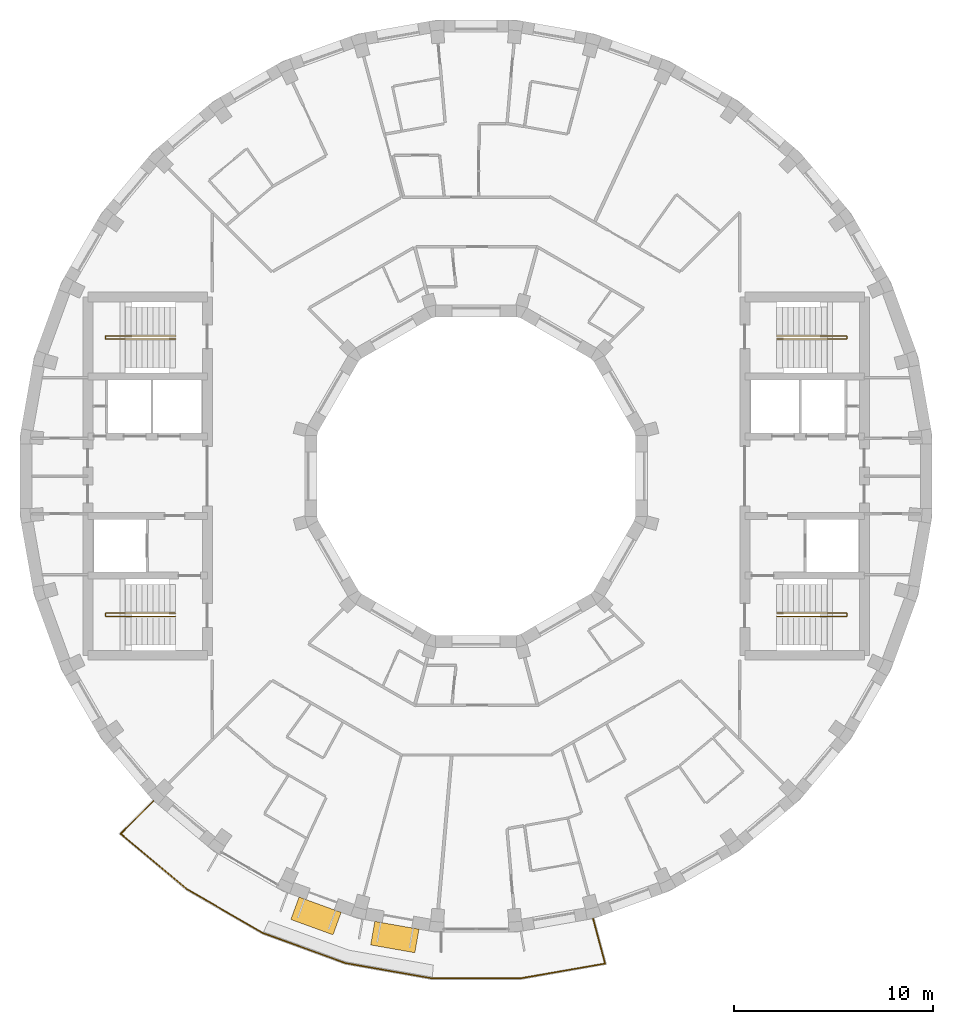
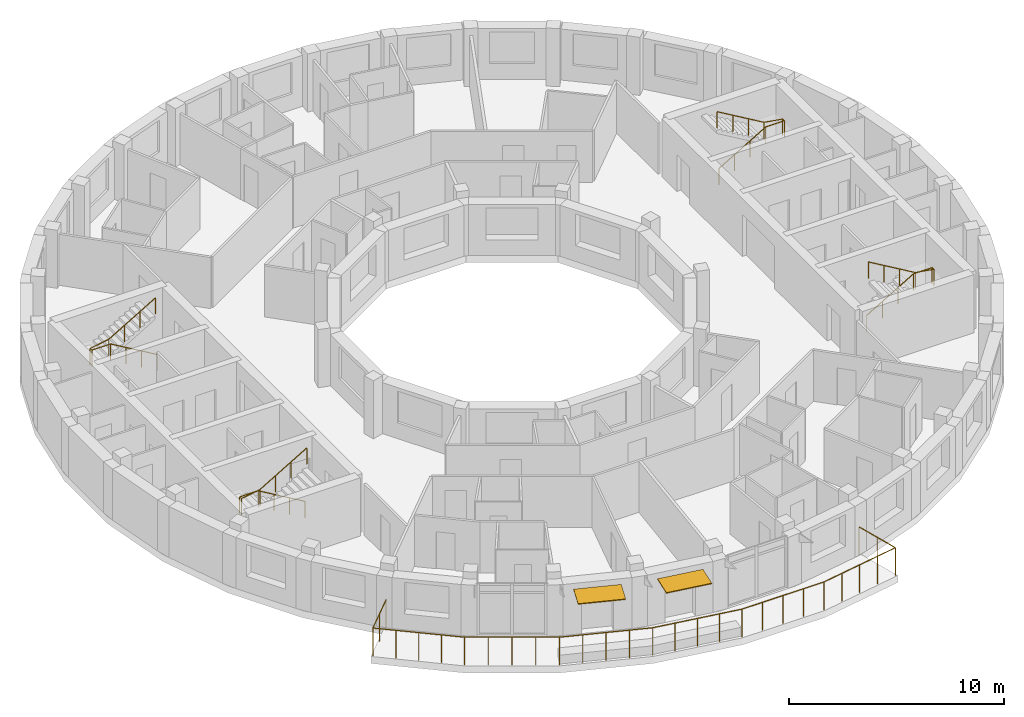
# One storey, part 12 of 12: 5 railings, 2 shading devices.
"""IFC4 building model written with IfcOpenShell, lengths in metres."""

from ifc_helpers import new_model, si_unit, direction, frame, origin, origin_2d, place, context, subcontext, project, spatial, rectangle, circle, extrude, material, layer, layer_set, type_object, element, save


model = new_model("IFC4")

# Units and contexts
model_context = context("Model", 3, precision=1e-05, world=origin(), true_north=direction((0.0, 1.0)))
body_context = subcontext(model_context, "Body", "Model", "MODEL_VIEW")
ifc_project = project(units=[si_unit("LENGTHUNIT", "METRE"), si_unit("AREAUNIT", "SQUARE_METRE"), si_unit("VOLUMEUNIT", "CUBIC_METRE"), si_unit("PLANEANGLEUNIT", "RADIAN"), si_unit("MASSUNIT", "GRAM", prefix="KILO")], contexts=[model_context])

# Site, building, storey
site_placement = place(None, origin())
site = spatial("IfcSite", under=ifc_project, at=site_placement, CompositionType="ELEMENT")
building_placement = place(site_placement, origin())
building = spatial("IfcBuilding", under=site, at=building_placement, Name="Saqina Gate Tower", CompositionType="ELEMENT")
storey_placement = place(building_placement, frame((0.0, 0.0, 272.60009765625)))
storey = spatial("IfcBuildingStorey", under=building, at=storey_placement, Name="L78", CompositionType="ELEMENT", Elevation=272.60009765625)

# Shading devices
ifc_material_1 = material(Name="Aluminium and fabric awning", Category="aluminium")
ifc_layer = layer(ifc_material_1, 0.050048828125)
ifc_layer_set = layer_set([ifc_layer], Name="AW-TERRACE")
shading_device_type = type_object("IfcShadingDeviceType", Name="AW-TERRACE", PredefinedType="AWNING", material=ifc_layer_set)
for number, where, z_axis, x_axis, name in (
    (1, (-8.041748046875, -22.094482421875, 2.52490234375), (0.0, 0.0, 1.0), (0.939692620786, -0.342020143326, 0.0), "Terrace awning L78 facet 25"),
    (2, (-4.0830078125, -23.1552734375, 2.52490234375), (0.0, 0.0, 1.0), (0.984807753012, -0.173648177667, 0.0), "Terrace awning L78 facet 26"),
):
    element("IfcShadingDevice", number, at=place(storey_placement, frame(where, z_axis=z_axis, x_axis=x_axis)), inside=storey, type_object=shading_device_type, Name=name, PredefinedType="AWNING", context=body_context, shape_type="SweptSolid", body=[
        extrude(rectangle(XDim=2.251708984375, YDim=1.199951171875, at=origin_2d()), origin(), (0.0, 0.0, 1.0), 0.050048828125),
    ])

# Railings
ifc_material_2 = material(Name="Stainless steel", Category="steel")
railing_type_1 = type_object("IfcRailingType", Name="RL-TERRACE", PredefinedType="GUARDRAIL", material=ifc_material_2)
railing_1_placement = place(storey_placement, frame((-16.16455078125, -16.277587890625, 0.0)))
element("IfcRailing", 3, at=railing_1_placement, inside=storey, type_object=railing_type_1, Name="Terrace guard L78", PredefinedType="GUARDRAIL", context=body_context, shape_type="SweptSolid", body=[
    extrude(circle(Radius=0.02392578125, at=origin_2d()), frame((0.0, 0.0, 1.576171875), z_axis=(-0.707055676733, -0.707157881947, 0.0), x_axis=(0.707157881947, -0.707055676733, 0.0)), (0.0, 0.0, 1.0), 2.388671875),
    extrude(circle(Radius=0.02392578125, at=origin_2d()), frame((-1.68896484375, -1.689208984375, 1.576171875), z_axis=(0.76705217952, -0.641584720745, 0.0), x_axis=(0.641584720745, 0.76705217952, 0.0)), (0.0, 0.0, 1.0), 4.33544921875),
    extrude(circle(Radius=0.02392578125, at=origin_2d()), frame((1.636474609375, -4.470703125, 1.576171875), z_axis=(0.866036415623, -0.49998092645, 0.0), x_axis=(0.49998092645, 0.866036415623, 0.0)), (0.0, 0.0, 1.0), 4.415283203125),
    extrude(circle(Radius=0.02392578125, at=origin_2d()), frame((5.460205078125, -6.67822265625, 1.576171875), z_axis=(0.93969166445, -0.342022770825, 0.0), x_axis=(0.342022770825, 0.93969166445, 0.0)), (0.0, 0.0, 1.0), 4.4150390625),
    extrude(circle(Radius=0.02392578125, at=origin_2d()), frame((9.60888671875, -8.188232421875, 1.576171875), z_axis=(0.984811379451, -0.173627609853, 0.0), x_axis=(0.173627609853, 0.984811379451, 0.0)), (0.0, 0.0, 1.0), 4.415283203125),
    extrude(circle(Radius=0.02392578125, at=origin_2d()), frame((13.95703125, -8.954833984375, 1.576171875), z_axis=(1.0, 0.0, 0.0), x_axis=(0.0, 1.0, 0.0)), (0.0, 0.0, 1.0), 4.4150390625),
    extrude(circle(Radius=0.02392578125, at=origin_2d()), frame((18.3720703125, -8.954833984375, 1.576171875), z_axis=(0.985090409093, 0.172037454969, 0.0), x_axis=(-0.172037454969, 0.985090409093, 0.0)), (0.0, 0.0, 1.0), 4.33544921875),
    extrude(circle(Radius=0.02392578125, at=origin_2d()), frame((22.642822265625, -8.208984375, 1.576171875), z_axis=(-0.258756517988, 0.96594257821, 0.0), x_axis=(-0.96594257821, -0.258756517988, 0.0)), (0.0, 0.0, 1.0), 2.388916015625),
    extrude(circle(Radius=0.02099609375, at=origin_2d()), origin(), (0.0, 0.0, 1.0), 1.552001953125),
    extrude(circle(Radius=0.02099609375, at=origin_2d()), frame((-0.844482421875, -0.8447265625, 0.0)), (0.0, 0.0, 1.0), 1.552001953125),
    extrude(circle(Radius=0.02099609375, at=origin_2d()), frame((-1.68896484375, -1.689208984375, 0.0)), (0.0, 0.0, 1.0), 1.552001953125),
    extrude(circle(Radius=0.02099609375, at=origin_2d()), frame((-0.857666015625, -2.384521484375, 0.0)), (0.0, 0.0, 1.0), 1.552001953125),
    extrude(circle(Radius=0.02099609375, at=origin_2d()), frame((-0.0263671875, -3.080078125, 0.0)), (0.0, 0.0, 1.0), 1.552001953125),
    extrude(circle(Radius=0.02099609375, at=origin_2d()), frame((0.80517578125, -3.775390625, 0.0)), (0.0, 0.0, 1.0), 1.552001953125),
    extrude(circle(Radius=0.02099609375, at=origin_2d()), frame((1.636474609375, -4.470703125, 0.0)), (0.0, 0.0, 1.0), 1.552001953125),
    extrude(circle(Radius=0.02099609375, at=origin_2d()), frame((2.59228515625, -5.0224609375, 0.0)), (0.0, 0.0, 1.0), 1.552001953125),
    extrude(circle(Radius=0.02099609375, at=origin_2d()), frame((3.54833984375, -5.574462890625, 0.0)), (0.0, 0.0, 1.0), 1.552001953125),
    extrude(circle(Radius=0.02099609375, at=origin_2d()), frame((4.50439453125, -6.12646484375, 0.0)), (0.0, 0.0, 1.0), 1.552001953125),
    extrude(circle(Radius=0.02099609375, at=origin_2d()), frame((5.460205078125, -6.67822265625, 0.0)), (0.0, 0.0, 1.0), 1.552001953125),
    extrude(circle(Radius=0.02099609375, at=origin_2d()), frame((6.497314453125, -7.0556640625, 0.0)), (0.0, 0.0, 1.0), 1.552001953125),
    extrude(circle(Radius=0.02099609375, at=origin_2d()), frame((7.53466796875, -7.43310546875, 0.0)), (0.0, 0.0, 1.0), 1.552001953125),
    extrude(circle(Radius=0.02099609375, at=origin_2d()), frame((8.57177734375, -7.810791015625, 0.0)), (0.0, 0.0, 1.0), 1.552001953125),
    extrude(circle(Radius=0.02099609375, at=origin_2d()), frame((9.60888671875, -8.188232421875, 0.0)), (0.0, 0.0, 1.0), 1.552001953125),
    extrude(circle(Radius=0.02099609375, at=origin_2d()), frame((10.69580078125, -8.3798828125, 0.0)), (0.0, 0.0, 1.0), 1.552001953125),
    extrude(circle(Radius=0.02099609375, at=origin_2d()), frame((11.782958984375, -8.571533203125, 0.0)), (0.0, 0.0, 1.0), 1.552001953125),
    extrude(circle(Radius=0.02099609375, at=origin_2d()), frame((12.8701171875, -8.76318359375, 0.0)), (0.0, 0.0, 1.0), 1.552001953125),
    extrude(circle(Radius=0.02099609375, at=origin_2d()), frame((13.95703125, -8.954833984375, 0.0)), (0.0, 0.0, 1.0), 1.552001953125),
    extrude(circle(Radius=0.02099609375, at=origin_2d()), frame((15.060791015625, -8.954833984375, 0.0)), (0.0, 0.0, 1.0), 1.552001953125),
    extrude(circle(Radius=0.02099609375, at=origin_2d()), frame((16.16455078125, -8.954833984375, 0.0)), (0.0, 0.0, 1.0), 1.552001953125),
    extrude(circle(Radius=0.02099609375, at=origin_2d()), frame((17.268310546875, -8.954833984375, 0.0)), (0.0, 0.0, 1.0), 1.552001953125),
    extrude(circle(Radius=0.02099609375, at=origin_2d()), frame((18.3720703125, -8.954833984375, 0.0)), (0.0, 0.0, 1.0), 1.552001953125),
    extrude(circle(Radius=0.02099609375, at=origin_2d()), frame((19.439697265625, -8.768310546875, 0.0)), (0.0, 0.0, 1.0), 1.552001953125),
    extrude(circle(Radius=0.02099609375, at=origin_2d()), frame((20.50732421875, -8.58203125, 0.0)), (0.0, 0.0, 1.0), 1.552001953125),
    extrude(circle(Radius=0.02099609375, at=origin_2d()), frame((21.5751953125, -8.3955078125, 0.0)), (0.0, 0.0, 1.0), 1.552001953125),
    extrude(circle(Radius=0.02099609375, at=origin_2d()), frame((22.642822265625, -8.208984375, 0.0)), (0.0, 0.0, 1.0), 1.552001953125),
    extrude(circle(Radius=0.02099609375, at=origin_2d()), frame((22.333740234375, -7.05517578125, 0.0)), (0.0, 0.0, 1.0), 1.552001953125),
    extrude(circle(Radius=0.02099609375, at=origin_2d()), frame((22.024658203125, -5.9013671875, 0.0)), (0.0, 0.0, 1.0), 1.552001953125),
])
ifc_material_3 = material(Name="Stainless steel", Category="steel")
railing_type_2 = type_object("IfcRailingType", Name="STAIR HANDRAIL", PredefinedType="HANDRAIL", material=ifc_material_3)
railing_2_placement = place(storey_placement, frame((15.10009765625, 6.88330078125, 0.164794921875)))
element("IfcRailing", 4, at=railing_2_placement, inside=storey, type_object=railing_type_2, Name="EXIT STAIR 1 HANDRAIL", PredefinedType="HANDRAIL", context=body_context, shape_type="SweptSolid", body=[
    extrude(circle(Radius=0.02392578125, at=origin_2d()), frame((0.0, 0.0, 0.92578125), z_axis=(0.86152411907, 0.0, 0.507716645641), x_axis=(0.0, 1.0, 0.0)), (0.0, 0.0, 1.0), 2.925048828125),
    extrude(circle(Radius=0.02392578125, at=origin_2d()), frame((2.52001953125, 0.0, 2.4111328125), z_axis=(1.0, 0.0, 0.0), x_axis=(0.0, 1.0, 0.0)), (0.0, 0.0, 1.0), 1.0),
    extrude(circle(Radius=0.02392578125, at=origin_2d()), frame((3.52001953125, 0.0, 2.4111328125), z_axis=(0.0, 1.0, 0.0), x_axis=(-1.0, 0.0, 0.0)), (0.0, 0.0, 1.0), 0.158447265625),
    extrude(circle(Radius=0.02392578125, at=origin_2d()), frame((3.52001953125, 0.158447265625, 2.4111328125), z_axis=(-0.98665309941, 0.0, 0.162836302539), x_axis=(0.0, -1.0, 0.0)), (0.0, 0.0, 1.0), 1.013427734375),
    extrude(circle(Radius=0.02392578125, at=origin_2d()), frame((2.52001953125, 0.158447265625, 2.576171875), z_axis=(-0.861560626758, 0.0, 0.507654692109), x_axis=(0.0, -1.0, 0.0)), (0.0, 0.0, 1.0), 2.925048828125),
    extrude(circle(Radius=0.02099609375, at=origin_2d()), origin(), (0.0, 0.0, 1.0), 0.90185546875),
    extrude(circle(Radius=0.02099609375, at=origin_2d()), frame((0.840087890625, 0.0, 0.4951171875)), (0.0, 0.0, 1.0), 0.90185546875),
    extrude(circle(Radius=0.02099609375, at=origin_2d()), frame((1.679931640625, 0.0, 0.989990234375)), (0.0, 0.0, 1.0), 0.90185546875),
    extrude(circle(Radius=0.02099609375, at=origin_2d()), frame((2.52001953125, 0.0, 1.485107421875)), (0.0, 0.0, 1.0), 0.90185546875),
    extrude(circle(Radius=0.02099609375, at=origin_2d()), frame((3.52001953125, 0.0, 1.485107421875)), (0.0, 0.0, 1.0), 0.90185546875),
    extrude(circle(Radius=0.02099609375, at=origin_2d()), frame((3.52001953125, 0.158447265625, 1.485107421875)), (0.0, 0.0, 1.0), 0.90185546875),
    extrude(circle(Radius=0.02099609375, at=origin_2d()), frame((2.52001953125, 0.158447265625, 1.650146484375)), (0.0, 0.0, 1.0), 0.90185546875),
    extrude(circle(Radius=0.02099609375, at=origin_2d()), frame((1.679931640625, 0.158447265625, 2.14501953125)), (0.0, 0.0, 1.0), 0.90185546875),
    extrude(circle(Radius=0.02099609375, at=origin_2d()), frame((0.840087890625, 0.158447265625, 2.64013671875)), (0.0, 0.0, 1.0), 0.90185546875),
    extrude(circle(Radius=0.02099609375, at=origin_2d()), frame((0.0, 0.158447265625, 3.135009765625)), (0.0, 0.0, 1.0), 0.90185546875),
])
railing_3_placement = place(storey_placement, frame((15.10009765625, -6.88330078125, 0.164794921875)))
element("IfcRailing", 5, at=railing_3_placement, inside=storey, type_object=railing_type_2, Name="EXIT STAIR 2 HANDRAIL", PredefinedType="HANDRAIL", context=body_context, shape_type="SweptSolid", body=[
    extrude(circle(Radius=0.02392578125, at=origin_2d()), frame((0.0, 0.0, 0.92578125), z_axis=(0.86152411907, 0.0, 0.507716645641), x_axis=(0.0, 1.0, 0.0)), (0.0, 0.0, 1.0), 2.925048828125),
    extrude(circle(Radius=0.02392578125, at=origin_2d()), frame((2.52001953125, 0.0, 2.4111328125), z_axis=(1.0, 0.0, 0.0), x_axis=(0.0, 1.0, 0.0)), (0.0, 0.0, 1.0), 1.0),
    extrude(circle(Radius=0.02392578125, at=origin_2d()), frame((3.52001953125, 0.0, 2.4111328125), z_axis=(0.0, -1.0, 0.0), x_axis=(1.0, 0.0, 0.0)), (0.0, 0.0, 1.0), 0.158447265625),
    extrude(circle(Radius=0.02392578125, at=origin_2d()), frame((3.52001953125, -0.158447265625, 2.4111328125), z_axis=(-0.98665309941, 0.0, 0.162836302539), x_axis=(0.0, -1.0, 0.0)), (0.0, 0.0, 1.0), 1.013427734375),
    extrude(circle(Radius=0.02392578125, at=origin_2d()), frame((2.52001953125, -0.158447265625, 2.576171875), z_axis=(-0.861560626758, 0.0, 0.507654692109), x_axis=(0.0, -1.0, 0.0)), (0.0, 0.0, 1.0), 2.925048828125),
    extrude(circle(Radius=0.02099609375, at=origin_2d()), origin(), (0.0, 0.0, 1.0), 0.90185546875),
    extrude(circle(Radius=0.02099609375, at=origin_2d()), frame((0.840087890625, 0.0, 0.4951171875)), (0.0, 0.0, 1.0), 0.90185546875),
    extrude(circle(Radius=0.02099609375, at=origin_2d()), frame((1.679931640625, 0.0, 0.989990234375)), (0.0, 0.0, 1.0), 0.90185546875),
    extrude(circle(Radius=0.02099609375, at=origin_2d()), frame((2.52001953125, 0.0, 1.485107421875)), (0.0, 0.0, 1.0), 0.90185546875),
    extrude(circle(Radius=0.02099609375, at=origin_2d()), frame((3.52001953125, 0.0, 1.485107421875)), (0.0, 0.0, 1.0), 0.90185546875),
    extrude(circle(Radius=0.02099609375, at=origin_2d()), frame((3.52001953125, -0.158447265625, 1.485107421875)), (0.0, 0.0, 1.0), 0.90185546875),
    extrude(circle(Radius=0.02099609375, at=origin_2d()), frame((2.52001953125, -0.158447265625, 1.650146484375)), (0.0, 0.0, 1.0), 0.90185546875),
    extrude(circle(Radius=0.02099609375, at=origin_2d()), frame((1.679931640625, -0.158447265625, 2.14501953125)), (0.0, 0.0, 1.0), 0.90185546875),
    extrude(circle(Radius=0.02099609375, at=origin_2d()), frame((0.840087890625, -0.158447265625, 2.64013671875)), (0.0, 0.0, 1.0), 0.90185546875),
    extrude(circle(Radius=0.02099609375, at=origin_2d()), frame((0.0, -0.158447265625, 3.135009765625)), (0.0, 0.0, 1.0), 0.90185546875),
])
railing_4_placement = place(storey_placement, frame((-15.10009765625, 6.88330078125, 0.164794921875)))
element("IfcRailing", 6, at=railing_4_placement, inside=storey, type_object=railing_type_2, Name="EXIT STAIR 3 HANDRAIL", PredefinedType="HANDRAIL", context=body_context, shape_type="SweptSolid", body=[
    extrude(circle(Radius=0.02392578125, at=origin_2d()), frame((0.0, 0.0, 0.92578125), z_axis=(-0.86152411907, 0.0, 0.507716645641), x_axis=(0.0, -1.0, 0.0)), (0.0, 0.0, 1.0), 2.925048828125),
    extrude(circle(Radius=0.02392578125, at=origin_2d()), frame((-2.52001953125, 0.0, 2.4111328125), z_axis=(-1.0, 0.0, 0.0), x_axis=(0.0, -1.0, 0.0)), (0.0, 0.0, 1.0), 1.0),
    extrude(circle(Radius=0.02392578125, at=origin_2d()), frame((-3.52001953125, 0.0, 2.4111328125), z_axis=(0.0, 1.0, 0.0), x_axis=(-1.0, 0.0, 0.0)), (0.0, 0.0, 1.0), 0.158447265625),
    extrude(circle(Radius=0.02392578125, at=origin_2d()), frame((-3.52001953125, 0.158447265625, 2.4111328125), z_axis=(0.98665309941, 0.0, 0.162836302539), x_axis=(0.0, 1.0, 0.0)), (0.0, 0.0, 1.0), 1.013427734375),
    extrude(circle(Radius=0.02392578125, at=origin_2d()), frame((-2.52001953125, 0.158447265625, 2.576171875), z_axis=(0.861560626758, 0.0, 0.507654692109), x_axis=(0.0, 1.0, 0.0)), (0.0, 0.0, 1.0), 2.925048828125),
    extrude(circle(Radius=0.02099609375, at=origin_2d()), origin(), (0.0, 0.0, 1.0), 0.90185546875),
    extrude(circle(Radius=0.02099609375, at=origin_2d()), frame((-0.840087890625, 0.0, 0.4951171875)), (0.0, 0.0, 1.0), 0.90185546875),
    extrude(circle(Radius=0.02099609375, at=origin_2d()), frame((-1.679931640625, 0.0, 0.989990234375)), (0.0, 0.0, 1.0), 0.90185546875),
    extrude(circle(Radius=0.02099609375, at=origin_2d()), frame((-2.52001953125, 0.0, 1.485107421875)), (0.0, 0.0, 1.0), 0.90185546875),
    extrude(circle(Radius=0.02099609375, at=origin_2d()), frame((-3.52001953125, 0.0, 1.485107421875)), (0.0, 0.0, 1.0), 0.90185546875),
    extrude(circle(Radius=0.02099609375, at=origin_2d()), frame((-3.52001953125, 0.158447265625, 1.485107421875)), (0.0, 0.0, 1.0), 0.90185546875),
    extrude(circle(Radius=0.02099609375, at=origin_2d()), frame((-2.52001953125, 0.158447265625, 1.650146484375)), (0.0, 0.0, 1.0), 0.90185546875),
    extrude(circle(Radius=0.02099609375, at=origin_2d()), frame((-1.679931640625, 0.158447265625, 2.14501953125)), (0.0, 0.0, 1.0), 0.90185546875),
    extrude(circle(Radius=0.02099609375, at=origin_2d()), frame((-0.840087890625, 0.158447265625, 2.64013671875)), (0.0, 0.0, 1.0), 0.90185546875),
    extrude(circle(Radius=0.02099609375, at=origin_2d()), frame((0.0, 0.158447265625, 3.135009765625)), (0.0, 0.0, 1.0), 0.90185546875),
])
railing_5_placement = place(storey_placement, frame((-15.10009765625, -6.88330078125, 0.164794921875)))
element("IfcRailing", 7, at=railing_5_placement, inside=storey, type_object=railing_type_2, Name="EXIT STAIR 4 HANDRAIL", PredefinedType="HANDRAIL", context=body_context, shape_type="SweptSolid", body=[
    extrude(circle(Radius=0.02392578125, at=origin_2d()), frame((0.0, 0.0, 0.92578125), z_axis=(-0.86152411907, 0.0, 0.507716645641), x_axis=(0.0, -1.0, 0.0)), (0.0, 0.0, 1.0), 2.925048828125),
    extrude(circle(Radius=0.02392578125, at=origin_2d()), frame((-2.52001953125, 0.0, 2.4111328125), z_axis=(-1.0, 0.0, 0.0), x_axis=(0.0, -1.0, 0.0)), (0.0, 0.0, 1.0), 1.0),
    extrude(circle(Radius=0.02392578125, at=origin_2d()), frame((-3.52001953125, 0.0, 2.4111328125), z_axis=(0.0, -1.0, 0.0), x_axis=(1.0, 0.0, 0.0)), (0.0, 0.0, 1.0), 0.158447265625),
    extrude(circle(Radius=0.02392578125, at=origin_2d()), frame((-3.52001953125, -0.158447265625, 2.4111328125), z_axis=(0.98665309941, 0.0, 0.162836302539), x_axis=(0.0, 1.0, 0.0)), (0.0, 0.0, 1.0), 1.013427734375),
    extrude(circle(Radius=0.02392578125, at=origin_2d()), frame((-2.52001953125, -0.158447265625, 2.576171875), z_axis=(0.861560626758, 0.0, 0.507654692109), x_axis=(0.0, 1.0, 0.0)), (0.0, 0.0, 1.0), 2.925048828125),
    extrude(circle(Radius=0.02099609375, at=origin_2d()), origin(), (0.0, 0.0, 1.0), 0.90185546875),
    extrude(circle(Radius=0.02099609375, at=origin_2d()), frame((-0.840087890625, 0.0, 0.4951171875)), (0.0, 0.0, 1.0), 0.90185546875),
    extrude(circle(Radius=0.02099609375, at=origin_2d()), frame((-1.679931640625, 0.0, 0.989990234375)), (0.0, 0.0, 1.0), 0.90185546875),
    extrude(circle(Radius=0.02099609375, at=origin_2d()), frame((-2.52001953125, 0.0, 1.485107421875)), (0.0, 0.0, 1.0), 0.90185546875),
    extrude(circle(Radius=0.02099609375, at=origin_2d()), frame((-3.52001953125, 0.0, 1.485107421875)), (0.0, 0.0, 1.0), 0.90185546875),
    extrude(circle(Radius=0.02099609375, at=origin_2d()), frame((-3.52001953125, -0.158447265625, 1.485107421875)), (0.0, 0.0, 1.0), 0.90185546875),
    extrude(circle(Radius=0.02099609375, at=origin_2d()), frame((-2.52001953125, -0.158447265625, 1.650146484375)), (0.0, 0.0, 1.0), 0.90185546875),
    extrude(circle(Radius=0.02099609375, at=origin_2d()), frame((-1.679931640625, -0.158447265625, 2.14501953125)), (0.0, 0.0, 1.0), 0.90185546875),
    extrude(circle(Radius=0.02099609375, at=origin_2d()), frame((-0.840087890625, -0.158447265625, 2.64013671875)), (0.0, 0.0, 1.0), 0.90185546875),
    extrude(circle(Radius=0.02099609375, at=origin_2d()), frame((0.0, -0.158447265625, 3.135009765625)), (0.0, 0.0, 1.0), 0.90185546875),
])

save(model, "model.ifc")
